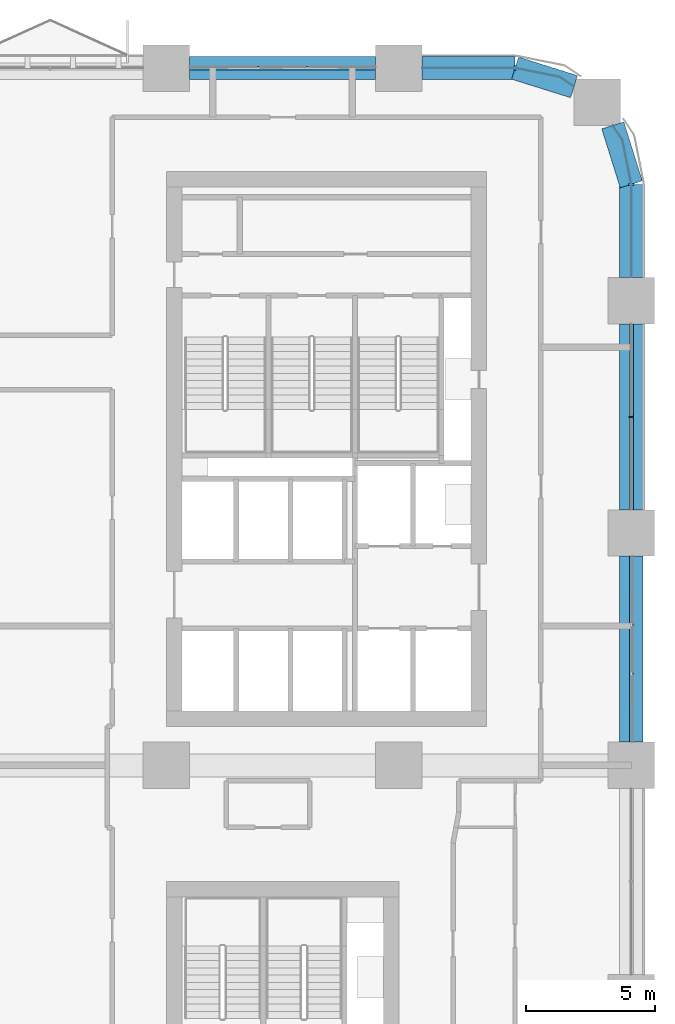
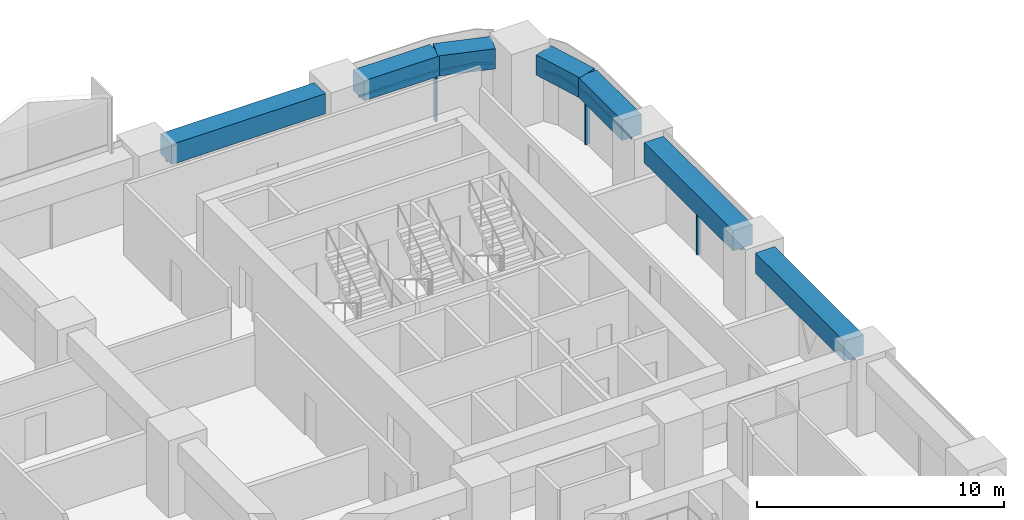
# One storey, part 9 of 22: 8 members, 7 beams, 5 elements without a shape of their own.
"""IFC4 building model written with IfcOpenShell, lengths in metres."""

from ifc_helpers import new_model, si_unit, direction, frame, origin, origin_2d, place, context, subcontext, project, spatial, polyline, rectangle, outline, extrude, material, material_profile, profile_set, type_object, element, aggregate, save


model = new_model("IFC4")

# Units and contexts
model_context = context("Model", 3, precision=1e-05, world=origin(), true_north=direction((0.0, 1.0)))
body_context = subcontext(model_context, "Body", "Model", "MODEL_VIEW")
ifc_project = project(units=[si_unit("LENGTHUNIT", "METRE"), si_unit("AREAUNIT", "SQUARE_METRE"), si_unit("VOLUMEUNIT", "CUBIC_METRE"), si_unit("PLANEANGLEUNIT", "RADIAN"), si_unit("MASSUNIT", "GRAM", prefix="KILO")], contexts=[model_context])

# Site, building, storey
site_placement = place(None, origin())
site = spatial("IfcSite", under=ifc_project, at=site_placement, CompositionType="ELEMENT")
building_placement = place(site_placement, origin())
building = spatial("IfcBuilding", under=site, at=building_placement, Name="Tessera Arch", CompositionType="ELEMENT")
storey_placement = place(building_placement, frame((0.0, 0.0, 53.800048828125)))
storey = spatial("IfcBuildingStorey", under=building, at=storey_placement, Name="L11", CompositionType="ELEMENT", Elevation=53.800048828125)

# Curtain wall, members
ifc_material_1 = material(Name="CW1 curtain wall")
curtain_wall_type_1 = type_object("IfcCurtainWallType", Name="CW1 curtain wall", PredefinedType="NOTDEFINED", material=ifc_material_1)
curtain_wall_1_placement = place(storey_placement, origin())
curtain_wall_1 = element("IfcCurtainWall", 1, at=curtain_wall_1_placement, inside=storey, type_object=curtain_wall_type_1, Name="CW1 curtain wall E54.0/4 L11", PredefinedType="NOTDEFINED")
ifc_material_2 = material(Name="Anodised aluminium pale metal", Category="aluminium")
ifc_material_profile_1 = material_profile(ifc_material_2, rectangle(XDim=0.159912109375, YDim=0.06005859375, at=origin_2d()), Name="AL 60x160")
ifc_profile_set_1 = profile_set([ifc_material_profile_1], Name="Anodised aluminium pale metal")
member_type_1 = type_object("IfcMemberType", Name="CW1 mullion", PredefinedType="MULLION", material=ifc_profile_set_1)
member_1_placement = place(storey_placement, frame((54.0, 40.5, 0.0), z_axis=(0.0, 0.0, 1.0), x_axis=(-1.0, 0.0, 0.0)))
member_1 = element("IfcMember", 2, at=member_1_placement, type_object=member_type_1, Name="CW1 mullion E54.0/4 1", PredefinedType="MULLION", context=body_context, shape_type="SweptSolid", body=[
    extrude(rectangle(XDim=0.159912109375, YDim=0.06005859375, at=origin_2d()), origin(), (0.0, 0.0, 1.0), 2.39990234375),
])
ifc_material_3 = material(Name="Anodised aluminium pale metal", Category="aluminium")
ifc_material_profile_2 = material_profile(ifc_material_3, rectangle(XDim=0.159912109375, YDim=0.10009765625, at=origin_2d()), Name="AL 160x100")
ifc_profile_set_2 = profile_set([ifc_material_profile_2], Name="Anodised aluminium pale metal")
member_type_2 = type_object("IfcMemberType", Name="CW1 transom", PredefinedType="USERDEFINED", material=ifc_profile_set_2)
member_2_placement = place(storey_placement, frame((54.0, 36.89990234375, 2.449951171875), z_axis=(0.0, 1.0, 0.0), x_axis=(-1.0, 0.0, 0.0)))
member_2 = element("IfcMember", 3, at=member_2_placement, type_object=member_type_2, Name="CW1 transom E54.0/4 1.1", ObjectType="TRANSOM", PredefinedType="USERDEFINED", context=body_context, shape_type="SweptSolid", body=[
    extrude(rectangle(XDim=0.159912109375, YDim=0.10009765625, at=origin_2d()), origin(), (0.0, 0.0, 1.0), 7.2001953125),
])
aggregate(curtain_wall_1, [member_1, member_2])

# Curtain wall, member
ifc_material_4 = material(Name="CW2 curtain wall")
curtain_wall_type_2 = type_object("IfcCurtainWallType", Name="CW2 curtain wall", PredefinedType="NOTDEFINED", material=ifc_material_4)
curtain_wall_2_placement = place(storey_placement, origin())
curtain_wall_2 = element("IfcCurtainWall", 4, at=curtain_wall_2_placement, inside=storey, type_object=curtain_wall_type_2, Name="CW2 curtain wall E54.0/5 L11", PredefinedType="NOTDEFINED")
ifc_material_5 = material(Name="Anodised aluminium pale metal", Category="aluminium")
ifc_material_profile_3 = material_profile(ifc_material_5, rectangle(XDim=0.199951171875, YDim=0.080078125, at=origin_2d()), Name="AL 80x200")
ifc_profile_set_3 = profile_set([ifc_material_profile_3], Name="Anodised aluminium pale metal")
member_type_3 = type_object("IfcMemberType", Name="CW2 mullion", PredefinedType="MULLION", material=ifc_profile_set_3)
member_3_placement = place(storey_placement, frame((54.0, 49.5, 0.0), z_axis=(0.0, 0.0, 1.0), x_axis=(-1.0, 0.0, 0.0)))
member_3 = element("IfcMember", 5, at=member_3_placement, type_object=member_type_3, Name="CW2 mullion E54.0/5 1", PredefinedType="MULLION", context=body_context, shape_type="SweptSolid", body=[
    extrude(rectangle(XDim=0.199951171875, YDim=0.080078125, at=origin_2d()), origin(), (0.0, 0.0, 1.0), 2.39990234375),
])

curtain_wall_3_placement = place(storey_placement, origin())
curtain_wall_3 = element("IfcCurtainWall", 6, at=curtain_wall_3_placement, inside=storey, type_object=curtain_wall_type_2, Name="CW2 curtain wall N54.0/0 L11", PredefinedType="NOTDEFINED")
member_4_placement = place(storey_placement, frame((49.5, 54.0, 0.0), z_axis=(0.0, 0.0, 1.0), x_axis=(0.0, -1.0, 0.0)))
member_4 = element("IfcMember", 7, at=member_4_placement, type_object=member_type_3, Name="CW2 mullion N54.0/0 1", PredefinedType="MULLION", context=body_context, shape_type="SweptSolid", body=[
    extrude(rectangle(XDim=0.199951171875, YDim=0.080078125, at=origin_2d()), origin(), (0.0, 0.0, 1.0), 2.39990234375),
])

# Member
ifc_material_6 = material(Name="Anodised aluminium pale metal", Category="aluminium")
ifc_material_profile_4 = material_profile(ifc_material_6, rectangle(XDim=0.199951171875, YDim=0.10009765625, at=origin_2d()), Name="AL 200x100")
ifc_profile_set_4 = profile_set([ifc_material_profile_4], Name="Anodised aluminium pale metal")
member_type_4 = type_object("IfcMemberType", Name="CW2 transom", PredefinedType="USERDEFINED", material=ifc_profile_set_4)
member_5_placement = place(storey_placement, frame((0.0, 0.0, 2.39990234375)))
member_5 = element("IfcMember", 8, at=member_5_placement, type_object=member_type_4, Name="CW2 transom E54.0/5 1", ObjectType="TRANSOM", PredefinedType="USERDEFINED", context=body_context, shape_type="SweptSolid", body=[
    extrude(outline(polyline([(53.989990234375, 49.4990234375), (53.989990234375, 45.89990234375), (54.010009765625, 45.89990234375), (54.010009765625, 49.5009765625), (53.6669921875, 51.22607421875), (53.29150390625, 51.78759765625), (53.27490234375, 51.7763671875), (53.648193359375, 51.21826171875), (53.989990234375, 49.4990234375)])), origin(), (0.0, 0.0, 1.0), 0.10009765625),
])

aggregate(curtain_wall_2, [member_3, member_5])

member_6_placement = place(storey_placement, frame((0.0, 0.0, 2.39990234375)))
member_6 = element("IfcMember", 9, at=member_6_placement, type_object=member_type_4, Name="CW2 transom N54.0/0 1", ObjectType="TRANSOM", PredefinedType="USERDEFINED", context=body_context, shape_type="SweptSolid", body=[
    extrude(outline(polyline([(51.21826171875, 53.648193359375), (51.7763671875, 53.27490234375), (51.78759765625, 53.29150390625), (51.22607421875, 53.6669921875), (49.5009765625, 54.010009765625), (45.89990234375, 54.010009765625), (45.89990234375, 53.989990234375), (49.4990234375, 53.989990234375), (51.21826171875, 53.648193359375)])), origin(), (0.0, 0.0, 1.0), 0.10009765625),
])

aggregate(curtain_wall_3, [member_4, member_6])

# Curtain wall, member
ifc_material_7 = material(Name="CW3 curtain wall")
curtain_wall_type_3 = type_object("IfcCurtainWallType", Name="CW3 curtain wall", PredefinedType="NOTDEFINED", material=ifc_material_7)
curtain_wall_4_placement = place(storey_placement, origin())
curtain_wall_4 = element("IfcCurtainWall", 10, at=curtain_wall_4_placement, inside=storey, type_object=curtain_wall_type_3, Name="CW3 curtain wall E54.0/3 L11", PredefinedType="NOTDEFINED")
ifc_material_8 = material(Name="Anodised aluminium pale metal", Category="aluminium")
ifc_material_profile_5 = material_profile(ifc_material_8, rectangle(XDim=0.139892578125, YDim=0.10009765625, at=origin_2d()), Name="AL 140x100")
ifc_profile_set_5 = profile_set([ifc_material_profile_5], Name="Anodised aluminium pale metal")
member_type_5 = type_object("IfcMemberType", Name="CW3 transom", PredefinedType="USERDEFINED", material=ifc_profile_set_5)
member_7_placement = place(storey_placement, frame((54.0, 27.89990234375, 2.449951171875), z_axis=(0.0, 1.0, 0.0), x_axis=(-1.0, 0.0, 0.0)))
member_7 = element("IfcMember", 11, at=member_7_placement, type_object=member_type_5, Name="CW3 transom E54.0/3 1.1", ObjectType="TRANSOM", PredefinedType="USERDEFINED", context=body_context, shape_type="SweptSolid", body=[
    extrude(rectangle(XDim=0.139892578125, YDim=0.10009765625, at=origin_2d()), origin(), (0.0, 0.0, 1.0), 7.2001953125),
])
aggregate(curtain_wall_4, [member_7])

curtain_wall_5_placement = place(storey_placement, origin())
curtain_wall_5 = element("IfcCurtainWall", 12, at=curtain_wall_5_placement, inside=storey, type_object=curtain_wall_type_3, Name="CW3 curtain wall N54.0/1 L11", PredefinedType="NOTDEFINED")
member_8_placement = place(storey_placement, frame((44.10009765625, 54.0, 2.449951171875), z_axis=(-1.0, 0.0, 0.0), x_axis=(0.0, -1.0, 0.0)))
member_8 = element("IfcMember", 13, at=member_8_placement, type_object=member_type_5, Name="CW3 transom N54.0/1 1.1", ObjectType="TRANSOM", PredefinedType="USERDEFINED", context=body_context, shape_type="SweptSolid", body=[
    extrude(rectangle(XDim=0.139892578125, YDim=0.10009765625, at=origin_2d()), origin(), (0.0, 0.0, 1.0), 7.2001953125),
])
aggregate(curtain_wall_5, [member_8])

# Beams
ifc_material_9 = material(Name="Concrete C80/95", Category="concrete")
ifc_material_profile_6 = material_profile(ifc_material_9, rectangle(XDim=0.89990234375, YDim=1.0, at=origin_2d()), Name="RC spandrel beam 900 x 1000 Concrete C80/95")
ifc_profile_set_6 = profile_set([ifc_material_profile_6], Name="Concrete C80/95")
beam_type = type_object("IfcBeamType", Name="RC spandrel beam 900 x 1000 Concrete C80/95", PredefinedType="BEAM", material=ifc_profile_set_6)
for number, where, z_axis, x_axis, name in (
    (14, (54.0, 27.89990234375, 3.0), (0.0, 1.0, 0.0), (-1.0, 0.0, 0.0), "Spandrel beam L11 E54.0/3"),
    (15, (54.0, 36.89990234375, 3.0), (0.0, 1.0, 0.0), (-1.0, 0.0, 0.0), "Spandrel beam L11 E54.0/4"),
):
    element("IfcBeam", number, at=place(storey_placement, frame(where, z_axis=z_axis, x_axis=x_axis)), inside=storey, type_object=beam_type, Name=name, PredefinedType="BEAM", context=body_context, shape_type="SweptSolid", body=[
        extrude(rectangle(XDim=0.89990234375, YDim=1.0, at=origin_2d()), origin(), (0.0, 0.0, 1.0), 7.2001953125),
    ])
beam_1_placement = place(storey_placement, frame((54.0, 45.89990234375, 3.0), z_axis=(0.0, 1.0, 0.0), x_axis=(-1.0, 0.0, 0.0)))
element("IfcBeam", 16, at=beam_1_placement, inside=storey, type_object=beam_type, Name="Spandrel beam L11 E54.0/5.1", PredefinedType="BEAM", context=body_context, shape_type="SweptSolid", body=[
    extrude(rectangle(XDim=0.89990234375, YDim=1.0, at=origin_2d()), origin(), (0.0, 0.0, 1.0), 3.60009765625),
])
for number, where, z_axis, x_axis, name in (
    (17, (54.0, 49.5, 3.0), (-0.299675309057, 0.954041251279, 0.0), (-0.954041251279, -0.299675309057, 0.0), "Spandrel beam L11 E54.0/5.2"),
    (18, (51.781982421875, 53.283203125, 3.0), (-0.954041251279, 0.299675309057, 0.0), (-0.299675309057, -0.954041251279, 0.0), "Spandrel beam L11 N54.0/0.1"),
):
    element("IfcBeam", number, at=place(storey_placement, frame(where, z_axis=z_axis, x_axis=x_axis)), inside=storey, type_object=beam_type, Name=name, PredefinedType="BEAM", context=body_context, shape_type="SweptSolid", body=[
        extrude(rectangle(XDim=0.89990234375, YDim=1.0, at=origin_2d()), origin(), (0.0, 0.0, 1.0), 2.391845703125),
    ])
beam_2_placement = place(storey_placement, frame((49.5, 54.0, 3.0), z_axis=(-1.0, 0.0, 0.0), x_axis=(0.0, -1.0, 0.0)))
element("IfcBeam", 19, at=beam_2_placement, inside=storey, type_object=beam_type, Name="Spandrel beam L11 N54.0/0.2", PredefinedType="BEAM", context=body_context, shape_type="SweptSolid", body=[
    extrude(rectangle(XDim=0.89990234375, YDim=1.0, at=origin_2d()), origin(), (0.0, 0.0, 1.0), 3.60009765625),
])
beam_3_placement = place(storey_placement, frame((44.10009765625, 54.0, 3.0), z_axis=(-1.0, 0.0, 0.0), x_axis=(0.0, -1.0, 0.0)))
element("IfcBeam", 20, at=beam_3_placement, inside=storey, type_object=beam_type, Name="Spandrel beam L11 N54.0/1", PredefinedType="BEAM", context=body_context, shape_type="SweptSolid", body=[
    extrude(rectangle(XDim=0.89990234375, YDim=1.0, at=origin_2d()), origin(), (0.0, 0.0, 1.0), 7.2001953125),
])

save(model, "model.ifc")
